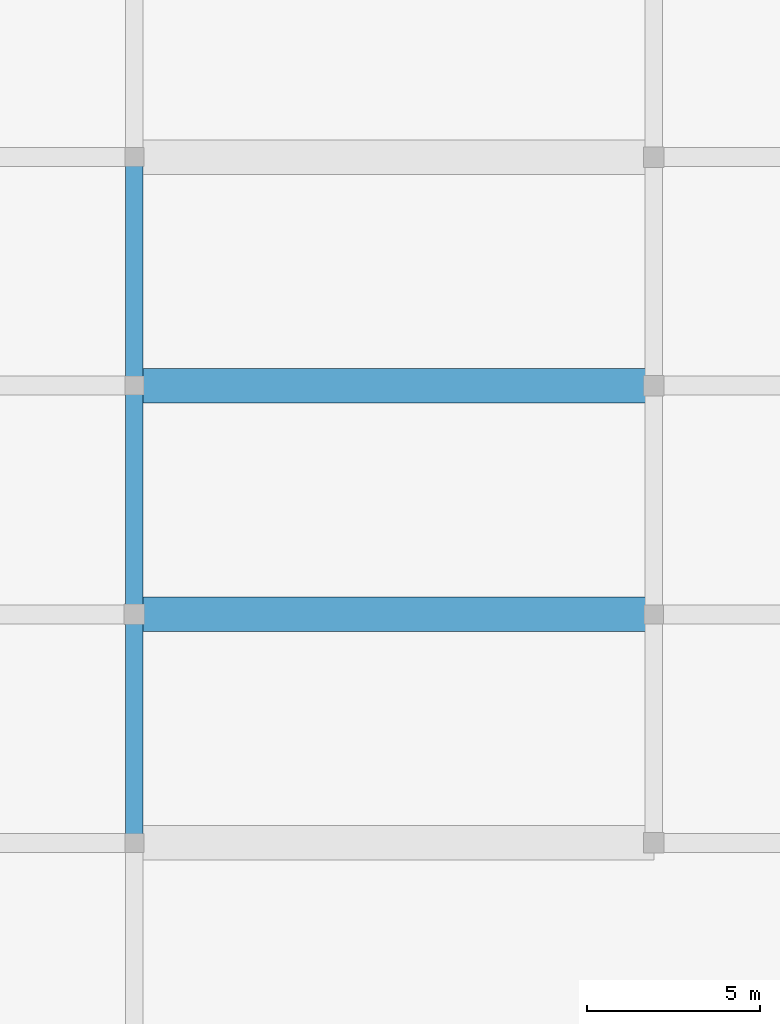
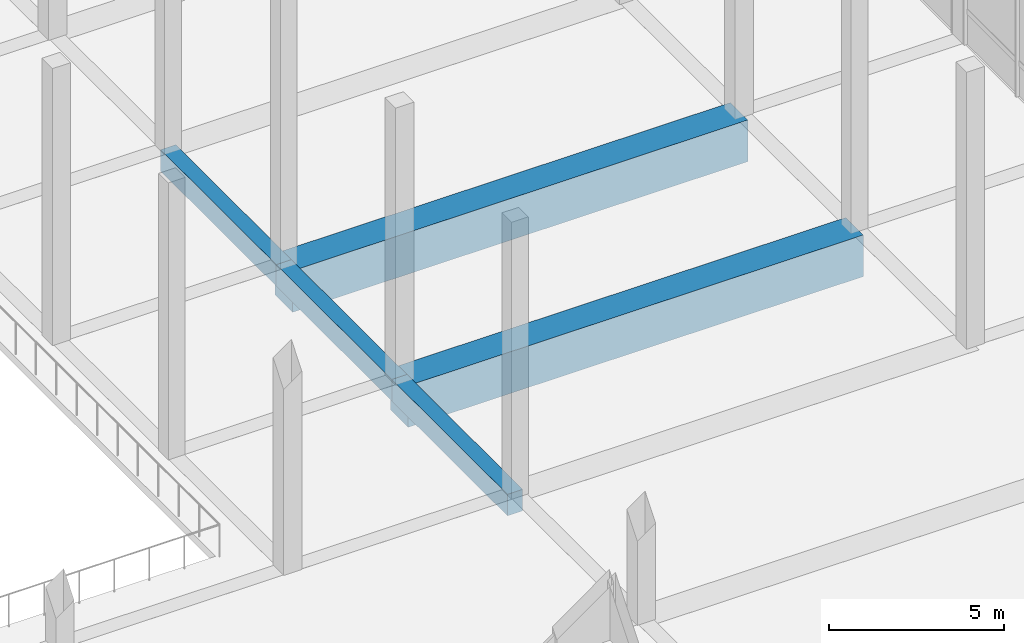
# One storey, part 46 of 80: 5 beams.
"""IFC4 building model written with IfcOpenShell, lengths in metres."""

from ifc_helpers import new_model, si_unit, direction, frame, origin, origin_2d, place, context, subcontext, project, spatial, rectangle, extrude, material, material_profile, profile_set, type_object, element, save


model = new_model("IFC4")

# Units and contexts
model_context = context("Model", 3, precision=1e-05, world=origin(), true_north=direction((0.0, 1.0)))
body_context = subcontext(model_context, "Body", "Model", "MODEL_VIEW")
ifc_project = project(units=[si_unit("LENGTHUNIT", "METRE"), si_unit("AREAUNIT", "SQUARE_METRE"), si_unit("VOLUMEUNIT", "CUBIC_METRE"), si_unit("PLANEANGLEUNIT", "RADIAN"), si_unit("MASSUNIT", "GRAM", prefix="KILO")], contexts=[model_context])

# Site, building, storey
site_placement = place(None, origin())
site = spatial("IfcSite", under=ifc_project, at=site_placement, CompositionType="ELEMENT")
building_placement = place(site_placement, origin())
building = spatial("IfcBuilding", under=site, at=building_placement, Name="Akrevak Sports Hall", CompositionType="ELEMENT")
storey_placement = place(building_placement, frame((0.0, 0.0, 14.0)))
storey = spatial("IfcBuildingStorey", under=building, at=storey_placement, Name="L03", CompositionType="ELEMENT", Elevation=14.0)

# Beams
ifc_material_1 = material(Name="Concrete C50/60", Category="concrete")
ifc_material_profile_1 = material_profile(ifc_material_1, rectangle(XDim=1.0, YDim=1.449951171875, at=origin_2d()), Name="BM 1000x1450", Category="concrete")
ifc_profile_set_1 = profile_set([ifc_material_profile_1], Name="Concrete C50/60")
beam_type_1 = type_object("IfcBeamType", Name="STR-BM-LG1000x1450", PredefinedType="BEAM", material=ifc_profile_set_1)
for number, where, z_axis, x_axis, name in (
    (1, (145.5, 35.39990234375, -0.72509765625), (1.0, 0.0, 0.0), (0.0, 1.0, 0.0), "Girder F/20-22 (L03)"),
    (2, (145.5, 42.0, -0.72509765625), (1.0, 0.0, 0.0), (0.0, 1.0, 0.0), "Girder G/20-22 (L03)"),
):
    element("IfcBeam", number, at=place(storey_placement, frame(where, z_axis=z_axis, x_axis=x_axis)), inside=storey, type_object=beam_type_1, Name=name, PredefinedType="BEAM", context=body_context, shape_type="SweptSolid", body=[
        extrude(rectangle(XDim=1.0, YDim=1.449951171875, at=origin_2d()), origin(), (0.0, 0.0, 1.0), 15.0),
    ])
ifc_material_2 = material(Name="Concrete C40/50", Category="concrete")
ifc_material_profile_2 = material_profile(ifc_material_2, rectangle(XDim=0.5, YDim=0.75, at=origin_2d()), Name="BM 500x750", Category="concrete")
ifc_profile_set_2 = profile_set([ifc_material_profile_2], Name="Concrete C40/50")
beam_type_2 = type_object("IfcBeamType", Name="STR-BM-RC500x750", PredefinedType="BEAM", material=ifc_profile_set_2)
beam_placement = place(storey_placement, frame((145.5, 28.800048828125, -0.375), z_axis=(0.0, 1.0, 0.0), x_axis=(-1.0, 0.0, 0.0)))
element("IfcBeam", 3, at=beam_placement, inside=storey, type_object=beam_type_2, Name="Girder 20/E-F (L03)", PredefinedType="BEAM", context=body_context, shape_type="SweptSolid", body=[
    extrude(rectangle(XDim=0.5, YDim=0.75, at=origin_2d()), origin(), (0.0, 0.0, 1.0), 6.599853515625),
])
for number, where, z_axis, x_axis, name in (
    (4, (145.5, 35.39990234375, -0.375), (0.0, 1.0, 0.0), (-1.0, 0.0, 0.0), "Girder 20/F-G (L03)"),
    (5, (145.5, 42.0, -0.375), (0.0, 1.0, 0.0), (-1.0, 0.0, 0.0), "Girder 20/G-H (L03)"),
):
    element("IfcBeam", number, at=place(storey_placement, frame(where, z_axis=z_axis, x_axis=x_axis)), inside=storey, type_object=beam_type_2, Name=name, PredefinedType="BEAM", context=body_context, shape_type="SweptSolid", body=[
        extrude(rectangle(XDim=0.5, YDim=0.75, at=origin_2d()), origin(), (0.0, 0.0, 1.0), 6.60009765625),
    ])

save(model, "model.ifc")
